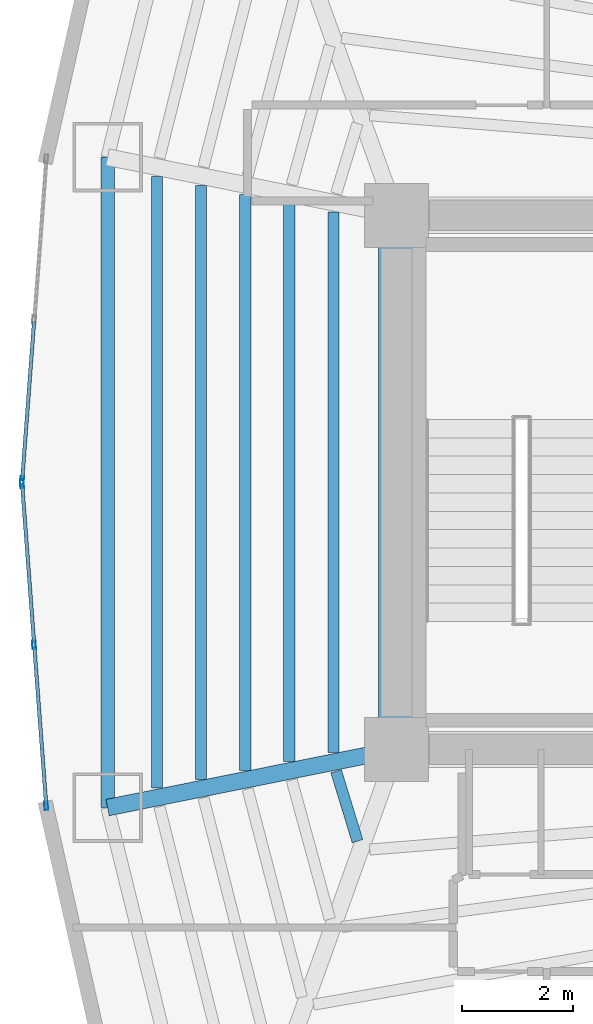
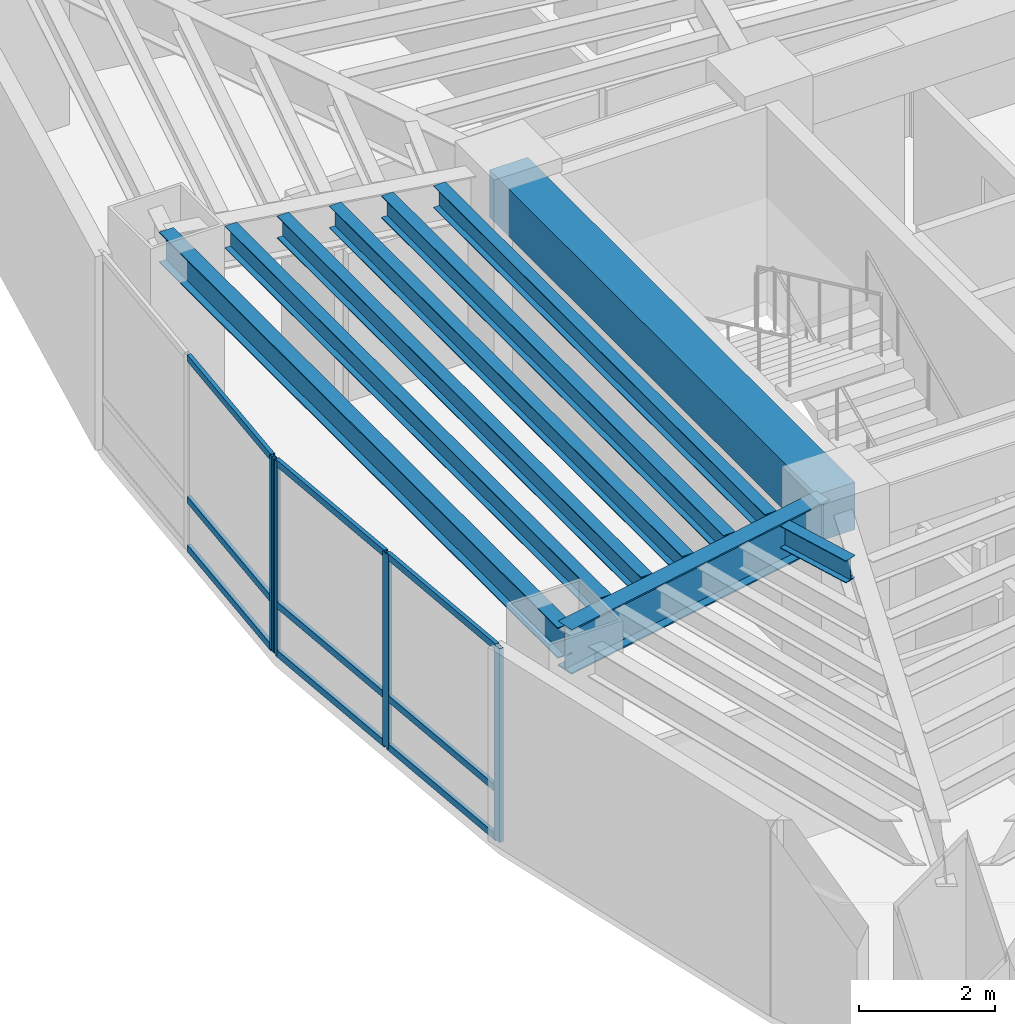
# One storey, part 3 of 18: 13 members, 9 beams, 2 elements without a shape of their own.
"""IFC4 building model written with IfcOpenShell, lengths in metres."""

from ifc_helpers import new_model, si_unit, direction, frame, origin, origin_2d, place, context, subcontext, project, spatial, rectangle, hollow_rectangle, i_section, extrude, material, layer, layer_set, material_profile, profile_set, type_object, element, aggregate, save


model = new_model("IFC4")

# Units and contexts
model_context = context("Model", 3, precision=1e-05, world=origin(), true_north=direction((0.0, 1.0)))
body_context = subcontext(model_context, "Body", "Model", "MODEL_VIEW")
ifc_project = project(units=[si_unit("LENGTHUNIT", "METRE"), si_unit("AREAUNIT", "SQUARE_METRE"), si_unit("VOLUMEUNIT", "CUBIC_METRE"), si_unit("PLANEANGLEUNIT", "RADIAN"), si_unit("MASSUNIT", "GRAM", prefix="KILO")], contexts=[model_context])

# Site, building, storey
site_placement = place(None, origin())
site = spatial("IfcSite", under=ifc_project, at=site_placement, CompositionType="ELEMENT")
building_placement = place(site_placement, origin())
building = spatial("IfcBuilding", under=site, at=building_placement, Name="Menara Vayukalpa", CompositionType="ELEMENT")
storey_placement = place(building_placement, frame((0.0, 0.0, 126.300048828125)))
storey = spatial("IfcBuildingStorey", under=building, at=storey_placement, Name="L31", CompositionType="ELEMENT", Elevation=126.300048828125)

# Beams
ifc_material_1 = material(Name="Concrete C60/75", Category="concrete")
ifc_material_profile_1 = material_profile(ifc_material_1, rectangle(XDim=0.64990234375, YDim=0.85009765625, at=origin_2d()), Name="RC 650x850")
ifc_profile_set_1 = profile_set([ifc_material_profile_1], Name="Concrete C60/75")
beam_type_1 = type_object("IfcBeamType", Name="BM-CB1", PredefinedType="BEAM", material=ifc_profile_set_1)
beam_1_placement = place(storey_placement, frame((17.800048828125, 17.199951171875, 3.044921875), z_axis=(0.0, 1.0, 0.0), x_axis=(-1.0, 0.0, 0.0)))
element("IfcBeam", 1, at=beam_1_placement, inside=storey, type_object=beam_type_1, Name="L31 Core Tie Beam CBR7", PredefinedType="BEAM", context=body_context, shape_type="SweptSolid", body=[
    extrude(rectangle(XDim=0.64990234375, YDim=0.85009765625, at=origin_2d()), origin(), (0.0, 0.0, 1.0), 9.60009765625),
])
ifc_material_2 = material(Name="Steel S355", Category="steel")
ifc_material_profile_2 = material_profile(ifc_material_2, i_section(OverallWidth=0.300048828125, OverallDepth=0.800048828125, WebThickness=0.013916015625, FlangeThickness=0.02587890625, at=origin_2d()), Name="WF 800x300x14x26")
ifc_profile_set_2 = profile_set([ifc_material_profile_2], Name="Steel S355")
beam_type_2 = type_object("IfcBeamType", Name="BM-PG3", PredefinedType="BEAM", material=ifc_profile_set_2)
beam_2_placement = place(storey_placement, frame((17.554931640625, 17.150634765625, 3.070068359375), z_axis=(-0.980324984906, -0.197390283373, 0.0), x_axis=(0.197390283373, -0.980324984906, 0.0)))
element("IfcBeam", 2, at=beam_2_placement, inside=storey, type_object=beam_type_2, Name="L31 Primary Radial Girder RG06", PredefinedType="BEAM", context=body_context, shape_type="SweptSolid", body=[
    extrude(i_section(OverallWidth=0.300048828125, OverallDepth=0.800048828125, WebThickness=0.013916015625, FlangeThickness=0.02587890625, at=origin_2d()), origin(), (0.0, 0.0, 1.0), 5.047607421875),
])
ifc_material_3 = material(Name="Steel S355", Category="steel")
ifc_material_profile_3 = material_profile(ifc_material_3, i_section(OverallWidth=0.199951171875, OverallDepth=0.39990234375, WebThickness=0.008056640625, FlangeThickness=0.012939453125, at=origin_2d()), Name="WF 400x200x8x13")
ifc_profile_set_3 = profile_set([ifc_material_profile_3], Name="Steel S355")
beam_type_3 = type_object("IfcBeamType", Name="BM-SJ2", PredefinedType="JOIST", material=ifc_profile_set_3)
beam_3_placement = place(storey_placement, frame((16.664306640625, 26.858642578125, 3.27001953125), z_axis=(0.0, -1.0, 0.0), x_axis=(1.0, 0.0, 0.0)))
element("IfcBeam", 3, at=beam_3_placement, inside=storey, type_object=beam_type_3, Name="L31 Secondary Floor Joist SJ05-1", PredefinedType="JOIST", context=body_context, shape_type="SweptSolid", body=[
    extrude(i_section(OverallWidth=0.199951171875, OverallDepth=0.39990234375, WebThickness=0.008056640625, FlangeThickness=0.012939453125, at=origin_2d()), origin(), (0.0, 0.0, 1.0), 9.71728515625),
])
beam_4_placement = place(storey_placement, frame((15.87255859375, 27.01806640625, 3.27001953125), z_axis=(0.0, -1.0, 0.0), x_axis=(1.0, 0.0, 0.0)))
element("IfcBeam", 4, at=beam_4_placement, inside=storey, type_object=beam_type_3, Name="L31 Secondary Floor Joist SJ05-2", PredefinedType="JOIST", context=body_context, shape_type="SweptSolid", body=[
    extrude(i_section(OverallWidth=0.199951171875, OverallDepth=0.39990234375, WebThickness=0.008056640625, FlangeThickness=0.012939453125, at=origin_2d()), origin(), (0.0, 0.0, 1.0), 10.0361328125),
])
beam_5_placement = place(storey_placement, frame((15.080810546875, 27.177490234375, 3.27001953125), z_axis=(0.0, -1.0, 0.0), x_axis=(1.0, 0.0, 0.0)))
element("IfcBeam", 5, at=beam_5_placement, inside=storey, type_object=beam_type_3, Name="L31 Secondary Floor Joist SJ05-3", PredefinedType="JOIST", context=body_context, shape_type="SweptSolid", body=[
    extrude(i_section(OverallWidth=0.199951171875, OverallDepth=0.39990234375, WebThickness=0.008056640625, FlangeThickness=0.012939453125, at=origin_2d()), origin(), (0.0, 0.0, 1.0), 10.35498046875),
])
beam_6_placement = place(storey_placement, frame((14.2890625, 27.3369140625, 3.27001953125), z_axis=(0.0, -1.0, 0.0), x_axis=(1.0, 0.0, 0.0)))
element("IfcBeam", 6, at=beam_6_placement, inside=storey, type_object=beam_type_3, Name="L31 Secondary Floor Joist SJ05-4", PredefinedType="JOIST", context=body_context, shape_type="SweptSolid", body=[
    extrude(i_section(OverallWidth=0.199951171875, OverallDepth=0.39990234375, WebThickness=0.008056640625, FlangeThickness=0.012939453125, at=origin_2d()), origin(), (0.0, 0.0, 1.0), 10.673828125),
])
beam_7_placement = place(storey_placement, frame((13.497314453125, 27.496337890625, 3.27001953125), z_axis=(0.0, -1.0, 0.0), x_axis=(1.0, 0.0, 0.0)))
element("IfcBeam", 7, at=beam_7_placement, inside=storey, type_object=beam_type_3, Name="L31 Secondary Floor Joist SJ05-5", PredefinedType="JOIST", context=body_context, shape_type="SweptSolid", body=[
    extrude(i_section(OverallWidth=0.199951171875, OverallDepth=0.39990234375, WebThickness=0.008056640625, FlangeThickness=0.012939453125, at=origin_2d()), origin(), (0.0, 0.0, 1.0), 10.99267578125),
])
beam_8_placement = place(storey_placement, frame((16.714111328125, 16.808837890625, 3.27001953125), z_axis=(0.292651981473, -0.956219021846, 0.0), x_axis=(0.956219021846, 0.292651981473, 0.0)))
element("IfcBeam", 8, at=beam_8_placement, inside=storey, type_object=beam_type_3, Name="L31 Secondary Floor Joist SJ06-1", PredefinedType="JOIST", context=body_context, shape_type="SweptSolid", body=[
    extrude(i_section(OverallWidth=0.199951171875, OverallDepth=0.39990234375, WebThickness=0.008056640625, FlangeThickness=0.012939453125, at=origin_2d()), origin(), (0.0, 0.0, 1.0), 1.31640625),
])
ifc_material_4 = material(Name="Steel S355", Category="steel")
ifc_material_profile_4 = material_profile(ifc_material_4, i_section(OverallWidth=0.239990234375, OverallDepth=0.550048828125, WebThickness=0.010986328125, FlangeThickness=0.01904296875, at=origin_2d()), Name="WF 550x240x11x19")
ifc_profile_set_4 = profile_set([ifc_material_profile_4], Name="Steel S355")
beam_type_4 = type_object("IfcBeamType", Name="BM-SP2", PredefinedType="SPANDREL", material=ifc_profile_set_4)
beam_9_placement = place(storey_placement, frame((12.606689453125, 27.845703125, 3.195068359375), z_axis=(0.0, -1.0, 0.0), x_axis=(1.0, 0.0, 0.0)))
element("IfcBeam", 9, at=beam_9_placement, inside=storey, type_object=beam_type_4, Name="L31 Perimeter Spandrel Beam SP05", PredefinedType="SPANDREL", context=body_context, shape_type="SweptSolid", body=[
    extrude(i_section(OverallWidth=0.239990234375, OverallDepth=0.550048828125, WebThickness=0.010986328125, FlangeThickness=0.01904296875, at=origin_2d()), origin(), (0.0, 0.0, 1.0), 11.69140625),
])

# Curtain wall, member
ifc_material_5 = material(Name="Anodised Terracotta Aluminium Alloy 6063-T6", Category="masonry")
ifc_layer = layer(ifc_material_5, 0.14990234375)
ifc_layer_set = layer_set([ifc_layer], Name="Anodised Terracotta Aluminium Alloy 6063-T6")
curtain_wall_type = type_object("IfcCurtainWallType", Name="CW-CW3", PredefinedType="USERDEFINED", material=ifc_layer_set)
curtain_wall_1_placement = place(storey_placement, origin())
curtain_wall_1 = element("IfcCurtainWall", 10, at=curtain_wall_1_placement, inside=storey, type_object=curtain_wall_type, Name="L31 Mid Rise Terracotta Ribbon Curtain Wall CW3 10", ObjectType="UNITISED", PredefinedType="USERDEFINED")
ifc_material_6 = material(Name="Anodised Terracotta Aluminium Alloy 6063-T6", Category="masonry")
ifc_material_profile_5 = material_profile(ifc_material_6, hollow_rectangle(XDim=0.06494140625, YDim=0.14990234375, WallThickness=0.00341796875, at=origin_2d()), Name="ALU 65x150x3.5")
ifc_profile_set_5 = profile_set([ifc_material_profile_5], Name="Anodised Terracotta Aluminium Alloy 6063-T6")
member_type_1 = type_object("IfcMemberType", Name="CWM-CW3", PredefinedType="MULLION", material=ifc_profile_set_5)
member_1_placement = place(storey_placement, frame((11.070556640625, 22.032470703125, 0.0), z_axis=(0.0, 0.0, 1.0), x_axis=(0.997199659745, -0.07478528334, 0.0)))
member_1 = element("IfcMember", 11, at=member_1_placement, type_object=member_type_1, Name="CW3 mullion 3", PredefinedType="MULLION", context=body_context, shape_type="SweptSolid", body=[
    extrude(hollow_rectangle(XDim=0.06494140625, YDim=0.14990234375, WallThickness=0.00341796875, at=origin_2d()), origin(), (0.0, 0.0, 1.0), 3.469970703125),
])

# Curtain wall, members
curtain_wall_2_placement = place(storey_placement, origin())
curtain_wall_2 = element("IfcCurtainWall", 12, at=curtain_wall_2_placement, inside=storey, type_object=curtain_wall_type, Name="L31 Mid Rise Terracotta Ribbon Curtain Wall CW3 11", ObjectType="UNITISED", PredefinedType="USERDEFINED")
member_2_placement = place(storey_placement, frame((11.070556640625, 21.967529296875, 0.0), z_axis=(0.0, 0.0, 1.0), x_axis=(0.997199659745, 0.07478528334, 0.0)))
member_2 = element("IfcMember", 13, at=member_2_placement, type_object=member_type_1, Name="CW3 mullion 1", PredefinedType="MULLION", context=body_context, shape_type="SweptSolid", body=[
    extrude(hollow_rectangle(XDim=0.06494140625, YDim=0.14990234375, WallThickness=0.00341796875, at=origin_2d()), origin(), (0.0, 0.0, 1.0), 3.469970703125),
])
member_3_placement = place(storey_placement, frame((11.287353515625, 19.0771484375, 0.0), z_axis=(0.0, 0.0, 1.0), x_axis=(0.997199659745, 0.07478528334, 0.0)))
member_3 = element("IfcMember", 14, at=member_3_placement, type_object=member_type_1, Name="CW3 mullion 2", PredefinedType="MULLION", context=body_context, shape_type="SweptSolid", body=[
    extrude(hollow_rectangle(XDim=0.06494140625, YDim=0.14990234375, WallThickness=0.00341796875, at=origin_2d()), origin(), (0.0, 0.0, 1.0), 3.469970703125),
])
member_4_placement = place(storey_placement, frame((11.504150390625, 16.186767578125, 0.0), z_axis=(0.0, 0.0, 1.0), x_axis=(0.997199659745, 0.07478528334, 0.0)))
member_4 = element("IfcMember", 15, at=member_4_placement, type_object=member_type_1, Name="CW3 mullion 3", PredefinedType="MULLION", context=body_context, shape_type="SweptSolid", body=[
    extrude(hollow_rectangle(XDim=0.06494140625, YDim=0.14990234375, WallThickness=0.00341796875, at=origin_2d()), origin(), (0.0, 0.0, 1.0), 3.469970703125),
])

# Member
ifc_material_7 = material(Name="Anodised Terracotta Aluminium Alloy 6063-T6", Category="masonry")
ifc_material_profile_6 = material_profile(ifc_material_7, hollow_rectangle(XDim=0.06494140625, YDim=0.1201171875, WallThickness=0.00341796875, at=origin_2d()), Name="ALU 65x120x3.5")
ifc_profile_set_6 = profile_set([ifc_material_profile_6], Name="Anodised Terracotta Aluminium Alloy 6063-T6")
member_type_2 = type_object("IfcMemberType", Name="CWT-CW3", PredefinedType="USERDEFINED", material=ifc_profile_set_6)
member_5_placement = place(storey_placement, frame((11.284912109375, 24.890380859375, 0.032470703125), z_axis=(-0.074785664408, -0.997199631167, 0.0), x_axis=(0.997199631167, -0.074785664408, 0.0)))
member_5 = element("IfcMember", 16, at=member_5_placement, type_object=member_type_2, Name="CW3 transom 2.1", ObjectType="TRANSOM", PredefinedType="USERDEFINED", context=body_context, shape_type="SweptSolid", body=[
    extrude(hollow_rectangle(XDim=0.06494140625, YDim=0.1201171875, WallThickness=0.00341796875, at=origin_2d()), origin(), (0.0, 0.0, 1.0), 2.833740234375),
])

member_6_placement = place(storey_placement, frame((11.284912109375, 24.890380859375, 0.89990234375), z_axis=(-0.074785664408, -0.997199631167, 0.0), x_axis=(0.997199631167, -0.074785664408, 0.0)))
member_6 = element("IfcMember", 17, at=member_6_placement, type_object=member_type_2, Name="CW3 transom 2.2", ObjectType="TRANSOM", PredefinedType="USERDEFINED", context=body_context, shape_type="SweptSolid", body=[
    extrude(hollow_rectangle(XDim=0.06494140625, YDim=0.1201171875, WallThickness=0.00341796875, at=origin_2d()), origin(), (0.0, 0.0, 1.0), 2.833740234375),
])

member_7_placement = place(storey_placement, frame((11.284912109375, 24.890380859375, 3.4375), z_axis=(-0.074785664408, -0.997199631167, 0.0), x_axis=(0.997199631167, -0.074785664408, 0.0)))
member_7 = element("IfcMember", 18, at=member_7_placement, type_object=member_type_2, Name="CW3 transom 2.3", ObjectType="TRANSOM", PredefinedType="USERDEFINED", context=body_context, shape_type="SweptSolid", body=[
    extrude(hollow_rectangle(XDim=0.06494140625, YDim=0.1201171875, WallThickness=0.00341796875, at=origin_2d()), origin(), (0.0, 0.0, 1.0), 2.833740234375),
])

aggregate(curtain_wall_1, [member_1, member_5, member_6, member_7])

member_8_placement = place(storey_placement, frame((11.072998046875, 21.935302734375, 0.032470703125), z_axis=(0.074785664408, -0.997199631167, 0.0), x_axis=(0.997199631167, 0.074785664408, 0.0)))
member_8 = element("IfcMember", 19, at=member_8_placement, type_object=member_type_2, Name="CW3 transom 1.1", ObjectType="TRANSOM", PredefinedType="USERDEFINED", context=body_context, shape_type="SweptSolid", body=[
    extrude(hollow_rectangle(XDim=0.06494140625, YDim=0.1201171875, WallThickness=0.00341796875, at=origin_2d()), origin(), (0.0, 0.0, 1.0), 2.833740234375),
])

member_9_placement = place(storey_placement, frame((11.072998046875, 21.935302734375, 0.89990234375), z_axis=(0.074785664408, -0.997199631167, 0.0), x_axis=(0.997199631167, 0.074785664408, 0.0)))
member_9 = element("IfcMember", 20, at=member_9_placement, type_object=member_type_2, Name="CW3 transom 1.2", ObjectType="TRANSOM", PredefinedType="USERDEFINED", context=body_context, shape_type="SweptSolid", body=[
    extrude(hollow_rectangle(XDim=0.06494140625, YDim=0.1201171875, WallThickness=0.00341796875, at=origin_2d()), origin(), (0.0, 0.0, 1.0), 2.833740234375),
])

member_10_placement = place(storey_placement, frame((11.072998046875, 21.935302734375, 3.4375), z_axis=(0.074785664408, -0.997199631167, 0.0), x_axis=(0.997199631167, 0.074785664408, 0.0)))
member_10 = element("IfcMember", 21, at=member_10_placement, type_object=member_type_2, Name="CW3 transom 1.3", ObjectType="TRANSOM", PredefinedType="USERDEFINED", context=body_context, shape_type="SweptSolid", body=[
    extrude(hollow_rectangle(XDim=0.06494140625, YDim=0.1201171875, WallThickness=0.00341796875, at=origin_2d()), origin(), (0.0, 0.0, 1.0), 2.833740234375),
])

member_11_placement = place(storey_placement, frame((11.289794921875, 19.044677734375, 0.032470703125), z_axis=(0.074792090342, -0.997199149229, 0.0), x_axis=(0.997199149229, 0.074792090342, 0.0)))
member_11 = element("IfcMember", 22, at=member_11_placement, type_object=member_type_2, Name="CW3 transom 2.1", ObjectType="TRANSOM", PredefinedType="USERDEFINED", context=body_context, shape_type="SweptSolid", body=[
    extrude(hollow_rectangle(XDim=0.06494140625, YDim=0.1201171875, WallThickness=0.00341796875, at=origin_2d()), origin(), (0.0, 0.0, 1.0), 2.83349609375),
])

member_12_placement = place(storey_placement, frame((11.289794921875, 19.044677734375, 0.89990234375), z_axis=(0.074792090342, -0.997199149229, 0.0), x_axis=(0.997199149229, 0.074792090342, 0.0)))
member_12 = element("IfcMember", 23, at=member_12_placement, type_object=member_type_2, Name="CW3 transom 2.2", ObjectType="TRANSOM", PredefinedType="USERDEFINED", context=body_context, shape_type="SweptSolid", body=[
    extrude(hollow_rectangle(XDim=0.06494140625, YDim=0.1201171875, WallThickness=0.00341796875, at=origin_2d()), origin(), (0.0, 0.0, 1.0), 2.83349609375),
])

member_13_placement = place(storey_placement, frame((11.289794921875, 19.044677734375, 3.4375), z_axis=(0.074792090342, -0.997199149229, 0.0), x_axis=(0.997199149229, 0.074792090342, 0.0)))
member_13 = element("IfcMember", 24, at=member_13_placement, type_object=member_type_2, Name="CW3 transom 2.3", ObjectType="TRANSOM", PredefinedType="USERDEFINED", context=body_context, shape_type="SweptSolid", body=[
    extrude(hollow_rectangle(XDim=0.06494140625, YDim=0.1201171875, WallThickness=0.00341796875, at=origin_2d()), origin(), (0.0, 0.0, 1.0), 2.83349609375),
])

aggregate(curtain_wall_2, [member_2, member_3, member_4, member_8, member_9, member_10, member_11, member_12, member_13])

save(model, "model.ifc")
